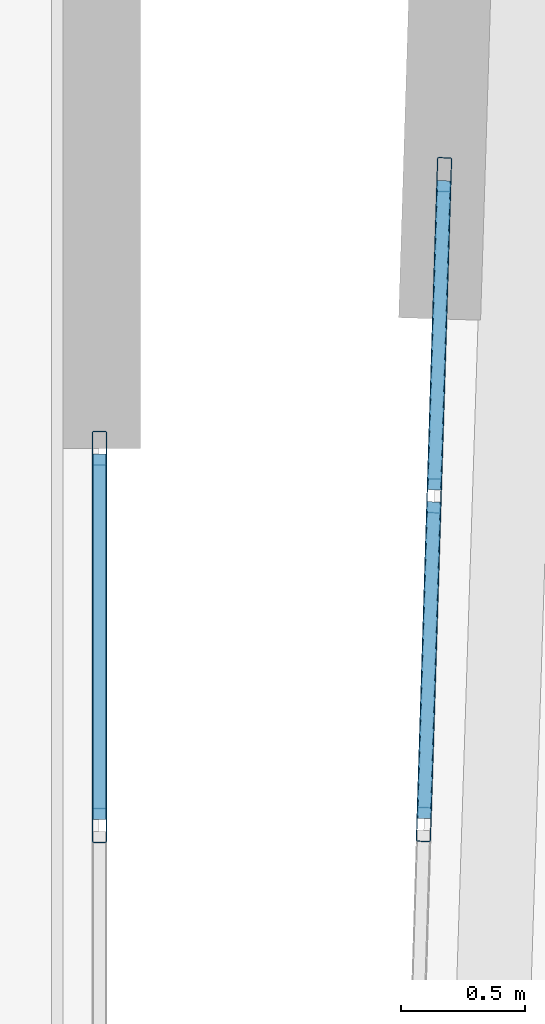
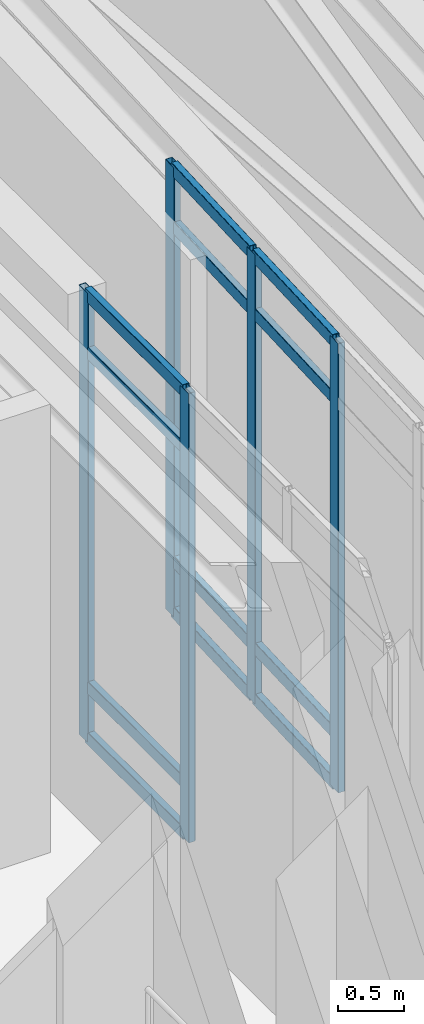
# One storey, part 11 of 19: 17 members, 2 elements without a shape of their own.
"""IFC4 building model written with IfcOpenShell, lengths in metres."""

from ifc_helpers import new_model, si_unit, direction, frame, origin, origin_2d, place, context, subcontext, project, spatial, hollow_rectangle, extrude, material, layer, layer_set, material_profile, profile_set, type_object, element, aggregate, save


model = new_model("IFC4")

# Units and contexts
model_context = context("Model", 3, precision=1e-05, world=origin(), true_north=direction((0.0, 1.0)))
body_context = subcontext(model_context, "Body", "Model", "MODEL_VIEW")
ifc_project = project(units=[si_unit("LENGTHUNIT", "METRE"), si_unit("AREAUNIT", "SQUARE_METRE"), si_unit("VOLUMEUNIT", "CUBIC_METRE"), si_unit("PLANEANGLEUNIT", "RADIAN"), si_unit("MASSUNIT", "GRAM", prefix="KILO")], contexts=[model_context])

# Site, building, storey
site_placement = place(None, origin())
site = spatial("IfcSite", under=ifc_project, at=site_placement, CompositionType="ELEMENT")
building_placement = place(site_placement, origin())
building = spatial("IfcBuilding", under=site, at=building_placement, Name="Ndelora Gate Hotel", CompositionType="ELEMENT")
storey_placement = place(building_placement, frame((0.0, 0.0, 290.39990234375)))
storey = spatial("IfcBuildingStorey", under=building, at=storey_placement, Name="L72", CompositionType="ELEMENT", Elevation=290.39990234375)

# Curtain wall, members
ifc_material_1 = material(Name="Bronze Anodised Unitised Aluminium and Low-E Glass", Category="aluminium")
ifc_layer = layer(ifc_material_1, 0.199951171875)
ifc_layer_set = layer_set([ifc_layer], Name="Bronze Anodised Unitised Aluminium and Low-E Glass")
curtain_wall_type = type_object("IfcCurtainWallType", Name="CW-SYS-8", PredefinedType="NOTDEFINED", material=ifc_layer_set)
curtain_wall_1_placement = place(storey_placement, origin())
curtain_wall_1 = element("IfcCurtainWall", 1, at=curtain_wall_1_placement, inside=storey, type_object=curtain_wall_type, Name="L72 Split-Crown West Cleft Lantern Curtain Wall CW8-2", PredefinedType="NOTDEFINED")
ifc_material_2 = material(Name="Bronze Anodised Aluminium 6063-T6", Category="aluminium")
ifc_material_profile_1 = material_profile(ifc_material_2, hollow_rectangle(XDim=0.06005859375, YDim=0.139892578125, WallThickness=0.00390625, InnerFilletRadius=0.00390625, OuterFilletRadius=0.008056640625, at=origin_2d()), Name="ALU 140x60x4")
ifc_profile_set_1 = profile_set([ifc_material_profile_1], Name="Bronze Anodised Aluminium 6063-T6")
member_type_1 = type_object("IfcMemberType", Name="MB-CW-MUL140", PredefinedType="MULLION", material=ifc_profile_set_1)
member_1_placement = place(storey_placement, frame((8.85009765625, 4.0, -0.00390625), z_axis=(0.0, 0.0, 1.0), x_axis=(-1.0, 0.0, 0.0)))
member_1 = element("IfcMember", 2, at=member_1_placement, type_object=member_type_1, Name="CW8 mullion 3", PredefinedType="MULLION", context=body_context, shape_type="SweptSolid", body=[
    extrude(hollow_rectangle(XDim=0.06005859375, YDim=0.139892578125, WallThickness=0.00390625, InnerFilletRadius=0.00390625, OuterFilletRadius=0.008056640625, at=origin_2d()), origin(), (0.0, 0.0, 1.0), 4.137939453125),
])
member_2_placement = place(storey_placement, frame((8.85009765625, 5.52001953125, -0.00390625), z_axis=(0.0, 0.0, 1.0), x_axis=(-1.0, 0.0, 0.0)))
member_2 = element("IfcMember", 3, at=member_2_placement, type_object=member_type_1, Name="CW8 mullion 4", PredefinedType="MULLION", context=body_context, shape_type="SweptSolid", body=[
    extrude(hollow_rectangle(XDim=0.06005859375, YDim=0.139892578125, WallThickness=0.00390625, InnerFilletRadius=0.00390625, OuterFilletRadius=0.008056640625, at=origin_2d()), origin(), (0.0, 0.0, 1.0), 4.137939453125),
])

curtain_wall_2_placement = place(storey_placement, origin())
curtain_wall_2 = element("IfcCurtainWall", 4, at=curtain_wall_2_placement, inside=storey, type_object=curtain_wall_type, Name="L72 Split-Crown East Cleft Lantern Curtain Wall CW8", PredefinedType="NOTDEFINED")
member_3_placement = place(storey_placement, frame((10.23876953125, 6.622314453125, -0.00390625), z_axis=(0.0, 0.0, 1.0), x_axis=(0.999515302198, -0.031131345484, 0.0)))
member_3 = element("IfcMember", 5, at=member_3_placement, type_object=member_type_1, Name="CW8 mullion 1", PredefinedType="MULLION", context=body_context, shape_type="SweptSolid", body=[
    extrude(hollow_rectangle(XDim=0.06005859375, YDim=0.139892578125, WallThickness=0.00390625, InnerFilletRadius=0.00390625, OuterFilletRadius=0.008056640625, at=origin_2d()), origin(), (0.0, 0.0, 1.0), 4.137939453125),
])
member_4_placement = place(storey_placement, frame((10.198486328125, 5.328125, -0.00390625), z_axis=(0.0, 0.0, 1.0), x_axis=(0.999515302198, -0.031131345484, 0.0)))
member_4 = element("IfcMember", 6, at=member_4_placement, type_object=member_type_1, Name="CW8 mullion 2", PredefinedType="MULLION", context=body_context, shape_type="SweptSolid", body=[
    extrude(hollow_rectangle(XDim=0.06005859375, YDim=0.139892578125, WallThickness=0.00390625, InnerFilletRadius=0.00390625, OuterFilletRadius=0.008056640625, at=origin_2d()), origin(), (0.0, 0.0, 1.0), 4.137939453125),
])
member_5_placement = place(storey_placement, frame((10.1572265625, 4.004150390625, -0.00390625), z_axis=(0.0, 0.0, 1.0), x_axis=(0.999515302198, -0.031131345484, 0.0)))
member_5 = element("IfcMember", 7, at=member_5_placement, type_object=member_type_1, Name="CW8 mullion 3", PredefinedType="MULLION", context=body_context, shape_type="SweptSolid", body=[
    extrude(hollow_rectangle(XDim=0.06005859375, YDim=0.139892578125, WallThickness=0.00390625, InnerFilletRadius=0.00390625, OuterFilletRadius=0.008056640625, at=origin_2d()), origin(), (0.0, 0.0, 1.0), 4.137939453125),
])

# Member
ifc_material_profile_2 = material_profile(ifc_material_2, hollow_rectangle(XDim=0.06005859375, YDim=0.1201171875, WallThickness=0.00390625, InnerFilletRadius=0.00390625, OuterFilletRadius=0.008056640625, at=origin_2d()), Name="ALU 120x60x4")
ifc_profile_set_2 = profile_set([ifc_material_profile_2], Name="Bronze Anodised Aluminium 6063-T6")
member_type_2 = type_object("IfcMemberType", Name="MB-CW-TRN120", PredefinedType="USERDEFINED", material=ifc_profile_set_2)
member_6_placement = place(storey_placement, frame((8.85009765625, 4.02392578125, 0.030029296875), z_axis=(0.0, 1.0, 0.0), x_axis=(-1.0, 0.0, 0.0)))
member_6 = element("IfcMember", 8, at=member_6_placement, type_object=member_type_2, Name="CW8 transom 3.1", ObjectType="TRANSOM", PredefinedType="USERDEFINED", context=body_context, shape_type="SweptSolid", body=[
    extrude(hollow_rectangle(XDim=0.06005859375, YDim=0.1201171875, WallThickness=0.00390625, InnerFilletRadius=0.00390625, OuterFilletRadius=0.008056640625, at=origin_2d()), origin(), (0.0, 0.0, 1.0), 1.47216796875),
])

member_7_placement = place(storey_placement, frame((8.85009765625, 4.02392578125, 0.5), z_axis=(0.0, 1.0, 0.0), x_axis=(-1.0, 0.0, 0.0)))
member_7 = element("IfcMember", 9, at=member_7_placement, type_object=member_type_2, Name="CW8 transom 3.2", ObjectType="TRANSOM", PredefinedType="USERDEFINED", context=body_context, shape_type="SweptSolid", body=[
    extrude(hollow_rectangle(XDim=0.06005859375, YDim=0.1201171875, WallThickness=0.00390625, InnerFilletRadius=0.00390625, OuterFilletRadius=0.008056640625, at=origin_2d()), origin(), (0.0, 0.0, 1.0), 1.47216796875),
])

member_8_placement = place(storey_placement, frame((8.85009765625, 4.02392578125, 3.580078125), z_axis=(0.0, 1.0, 0.0), x_axis=(-1.0, 0.0, 0.0)))
member_8 = element("IfcMember", 10, at=member_8_placement, type_object=member_type_2, Name="CW8 transom 3.3", ObjectType="TRANSOM", PredefinedType="USERDEFINED", context=body_context, shape_type="SweptSolid", body=[
    extrude(hollow_rectangle(XDim=0.06005859375, YDim=0.1201171875, WallThickness=0.00390625, InnerFilletRadius=0.00390625, OuterFilletRadius=0.008056640625, at=origin_2d()), origin(), (0.0, 0.0, 1.0), 1.47216796875),
])

member_9_placement = place(storey_placement, frame((8.85009765625, 4.02392578125, 4.10009765625), z_axis=(0.0, 1.0, 0.0), x_axis=(-1.0, 0.0, 0.0)))
member_9 = element("IfcMember", 11, at=member_9_placement, type_object=member_type_2, Name="CW8 transom 3.4", ObjectType="TRANSOM", PredefinedType="USERDEFINED", context=body_context, shape_type="SweptSolid", body=[
    extrude(hollow_rectangle(XDim=0.06005859375, YDim=0.1201171875, WallThickness=0.00390625, InnerFilletRadius=0.00390625, OuterFilletRadius=0.008056640625, at=origin_2d()), origin(), (0.0, 0.0, 1.0), 1.47216796875),
])

aggregate(curtain_wall_1, [member_1, member_2, member_6, member_7, member_8, member_9])

member_10_placement = place(storey_placement, frame((10.238037109375, 6.59814453125, 0.030029296875), z_axis=(-0.031143028646, -0.999514938241, 0.0), x_axis=(0.999514938241, -0.031143028646, 0.0)))
member_10 = element("IfcMember", 12, at=member_10_placement, type_object=member_type_2, Name="CW8 transom 1.1", ObjectType="TRANSOM", PredefinedType="USERDEFINED", context=body_context, shape_type="SweptSolid", body=[
    extrude(hollow_rectangle(XDim=0.06005859375, YDim=0.1201171875, WallThickness=0.00390625, InnerFilletRadius=0.00390625, OuterFilletRadius=0.008056640625, at=origin_2d()), origin(), (0.0, 0.0, 1.0), 1.246337890625),
])

member_11_placement = place(storey_placement, frame((10.238037109375, 6.59814453125, 0.5), z_axis=(-0.031143028646, -0.999514938241, 0.0), x_axis=(0.999514938241, -0.031143028646, 0.0)))
member_11 = element("IfcMember", 13, at=member_11_placement, type_object=member_type_2, Name="CW8 transom 1.2", ObjectType="TRANSOM", PredefinedType="USERDEFINED", context=body_context, shape_type="SweptSolid", body=[
    extrude(hollow_rectangle(XDim=0.06005859375, YDim=0.1201171875, WallThickness=0.00390625, InnerFilletRadius=0.00390625, OuterFilletRadius=0.008056640625, at=origin_2d()), origin(), (0.0, 0.0, 1.0), 1.246337890625),
])

member_12_placement = place(storey_placement, frame((10.238037109375, 6.59814453125, 3.580078125), z_axis=(-0.031143028646, -0.999514938241, 0.0), x_axis=(0.999514938241, -0.031143028646, 0.0)))
member_12 = element("IfcMember", 14, at=member_12_placement, type_object=member_type_2, Name="CW8 transom 1.3", ObjectType="TRANSOM", PredefinedType="USERDEFINED", context=body_context, shape_type="SweptSolid", body=[
    extrude(hollow_rectangle(XDim=0.06005859375, YDim=0.1201171875, WallThickness=0.00390625, InnerFilletRadius=0.00390625, OuterFilletRadius=0.008056640625, at=origin_2d()), origin(), (0.0, 0.0, 1.0), 1.246337890625),
])

member_13_placement = place(storey_placement, frame((10.238037109375, 6.59814453125, 4.10009765625), z_axis=(-0.031143028646, -0.999514938241, 0.0), x_axis=(0.999514938241, -0.031143028646, 0.0)))
member_13 = element("IfcMember", 15, at=member_13_placement, type_object=member_type_2, Name="CW8 transom 1.4", ObjectType="TRANSOM", PredefinedType="USERDEFINED", context=body_context, shape_type="SweptSolid", body=[
    extrude(hollow_rectangle(XDim=0.06005859375, YDim=0.1201171875, WallThickness=0.00390625, InnerFilletRadius=0.00390625, OuterFilletRadius=0.008056640625, at=origin_2d()), origin(), (0.0, 0.0, 1.0), 1.246337890625),
])

member_14_placement = place(storey_placement, frame((10.19775390625, 5.30419921875, 0.030029296875), z_axis=(-0.031175042529, -0.999513940235, 0.0), x_axis=(0.999513940235, -0.031175042529, 0.0)))
member_14 = element("IfcMember", 16, at=member_14_placement, type_object=member_type_2, Name="CW8 transom 2.1", ObjectType="TRANSOM", PredefinedType="USERDEFINED", context=body_context, shape_type="SweptSolid", body=[
    extrude(hollow_rectangle(XDim=0.06005859375, YDim=0.1201171875, WallThickness=0.00390625, InnerFilletRadius=0.00390625, OuterFilletRadius=0.008056640625, at=origin_2d()), origin(), (0.0, 0.0, 1.0), 1.276611328125),
])

member_15_placement = place(storey_placement, frame((10.19775390625, 5.30419921875, 0.5), z_axis=(-0.031175042529, -0.999513940235, 0.0), x_axis=(0.999513940235, -0.031175042529, 0.0)))
member_15 = element("IfcMember", 17, at=member_15_placement, type_object=member_type_2, Name="CW8 transom 2.2", ObjectType="TRANSOM", PredefinedType="USERDEFINED", context=body_context, shape_type="SweptSolid", body=[
    extrude(hollow_rectangle(XDim=0.06005859375, YDim=0.1201171875, WallThickness=0.00390625, InnerFilletRadius=0.00390625, OuterFilletRadius=0.008056640625, at=origin_2d()), origin(), (0.0, 0.0, 1.0), 1.276611328125),
])

member_16_placement = place(storey_placement, frame((10.19775390625, 5.30419921875, 3.580078125), z_axis=(-0.031175042529, -0.999513940235, 0.0), x_axis=(0.999513940235, -0.031175042529, 0.0)))
member_16 = element("IfcMember", 18, at=member_16_placement, type_object=member_type_2, Name="CW8 transom 2.3", ObjectType="TRANSOM", PredefinedType="USERDEFINED", context=body_context, shape_type="SweptSolid", body=[
    extrude(hollow_rectangle(XDim=0.06005859375, YDim=0.1201171875, WallThickness=0.00390625, InnerFilletRadius=0.00390625, OuterFilletRadius=0.008056640625, at=origin_2d()), origin(), (0.0, 0.0, 1.0), 1.276611328125),
])

member_17_placement = place(storey_placement, frame((10.19775390625, 5.30419921875, 4.10009765625), z_axis=(-0.031175042529, -0.999513940235, 0.0), x_axis=(0.999513940235, -0.031175042529, 0.0)))
member_17 = element("IfcMember", 19, at=member_17_placement, type_object=member_type_2, Name="CW8 transom 2.4", ObjectType="TRANSOM", PredefinedType="USERDEFINED", context=body_context, shape_type="SweptSolid", body=[
    extrude(hollow_rectangle(XDim=0.06005859375, YDim=0.1201171875, WallThickness=0.00390625, InnerFilletRadius=0.00390625, OuterFilletRadius=0.008056640625, at=origin_2d()), origin(), (0.0, 0.0, 1.0), 1.276611328125),
])

aggregate(curtain_wall_2, [member_3, member_4, member_5, member_10, member_11, member_12, member_13, member_14, member_15, member_16, member_17])

save(model, "model.ifc")
